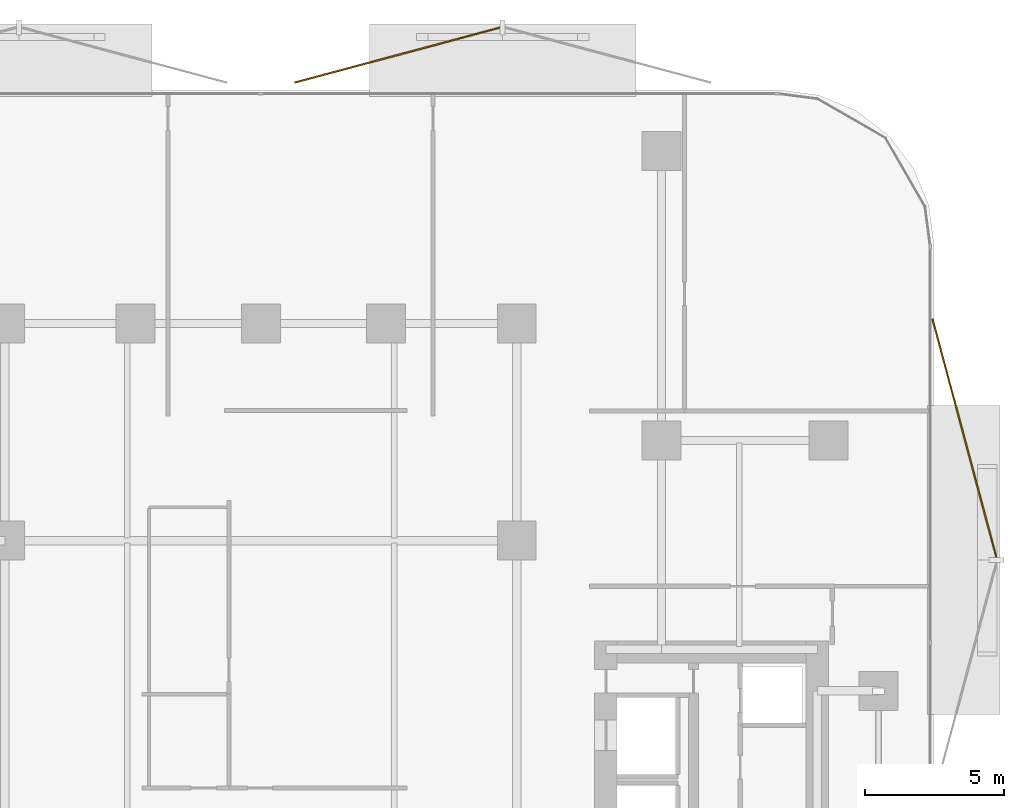
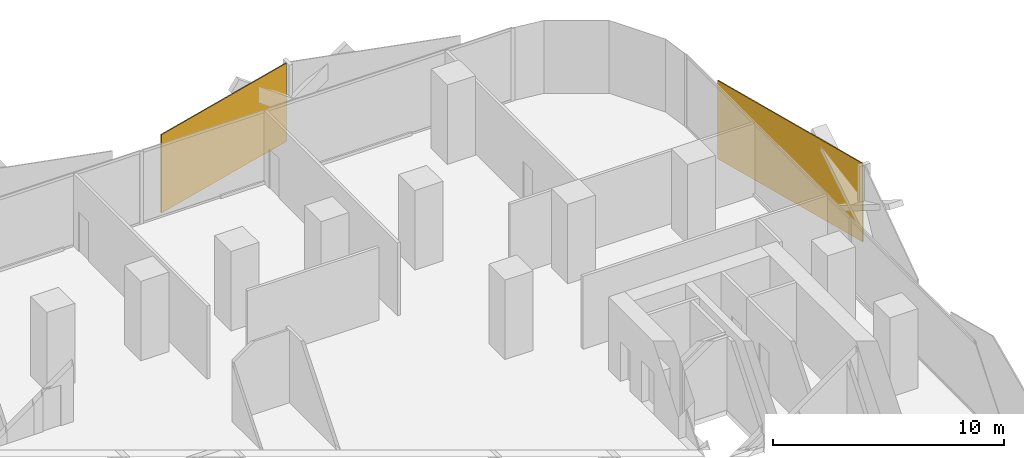
# One storey, part 16 of 16: 2 coverings.
"""IFC4 building model written with IfcOpenShell, lengths in metres."""

from ifc_helpers import new_model, si_unit, direction, frame, origin, origin_2d, place, context, subcontext, project, spatial, rectangle, extrude, material, layer, layer_set, type_object, element, save


model = new_model("IFC4")

# Units and contexts
model_context = context("Model", 3, precision=1e-05, world=origin(), true_north=direction((0.0, 1.0)))
body_context = subcontext(model_context, "Body", "Model", "MODEL_VIEW")
ifc_project = project(units=[si_unit("LENGTHUNIT", "METRE"), si_unit("AREAUNIT", "SQUARE_METRE"), si_unit("VOLUMEUNIT", "CUBIC_METRE"), si_unit("PLANEANGLEUNIT", "RADIAN"), si_unit("MASSUNIT", "GRAM", prefix="KILO")], contexts=[model_context])

# Site, building, storey
site_placement = place(None, origin())
site = spatial("IfcSite", under=ifc_project, at=site_placement, CompositionType="ELEMENT")
building_placement = place(site_placement, origin())
building = spatial("IfcBuilding", under=site, at=building_placement, Name="Khairoan Windgate Tower", CompositionType="ELEMENT")
storey_placement = place(building_placement, frame((0.0, 0.0, 80.60009765625)))
storey = spatial("IfcBuildingStorey", under=building, at=storey_placement, Name="L19", CompositionType="ELEMENT", Elevation=80.60009765625)

# Coverings
ifc_material = material(Name="Anodised Bronze Aluminium 6063-T6", Category="aluminium")
ifc_layer = layer(ifc_material, 0.054931640625, Name="Anodised Bronze Aluminium 6063-T6")
ifc_layer_set = layer_set([ifc_layer], Name="Anodised Bronze Aluminium 6063-T6")
covering_type = type_object("IfcCoveringType", Name="Perforated Bronze-Ceramic Folded Solar Screen Cladding BSC-1", PredefinedType="CLADDING", material=ifc_layer_set)
covering_1_placement = place(storey_placement, frame((4.909912109375, 28.249755859375, -0.10009765625), z_axis=(0.0, 0.0, 1.0), x_axis=(0.965925826289, 0.258819045103, 0.0)))
element("IfcCovering", 1, at=covering_1_placement, inside=storey, type_object=covering_type, Name="L19 Folded Bronze Solar Screen Facet 110L", PredefinedType="CLADDING", context=body_context, shape_type="SweptSolid", body=[
    extrude(rectangle(XDim=7.652099609375, YDim=0.054931640625, at=origin_2d()), origin(), (0.0, 0.0, 1.0), 4.139892578125),
])
covering_2_placement = place(storey_placement, frame((25.290283203125, 14.47607421875, -0.10009765625), z_axis=(0.0, 0.0, 1.0), x_axis=(0.258819045103, -0.965925826289, 0.0)))
element("IfcCovering", 2, at=covering_2_placement, inside=storey, type_object=covering_type, Name="L19 Folded Bronze Solar Screen Facet 111L", PredefinedType="CLADDING", context=body_context, shape_type="SweptSolid", body=[
    extrude(rectangle(XDim=8.884033203125, YDim=0.054931640625, at=origin_2d()), origin(), (0.0, 0.0, 1.0), 4.139892578125),
])

save(model, "model.ifc")
